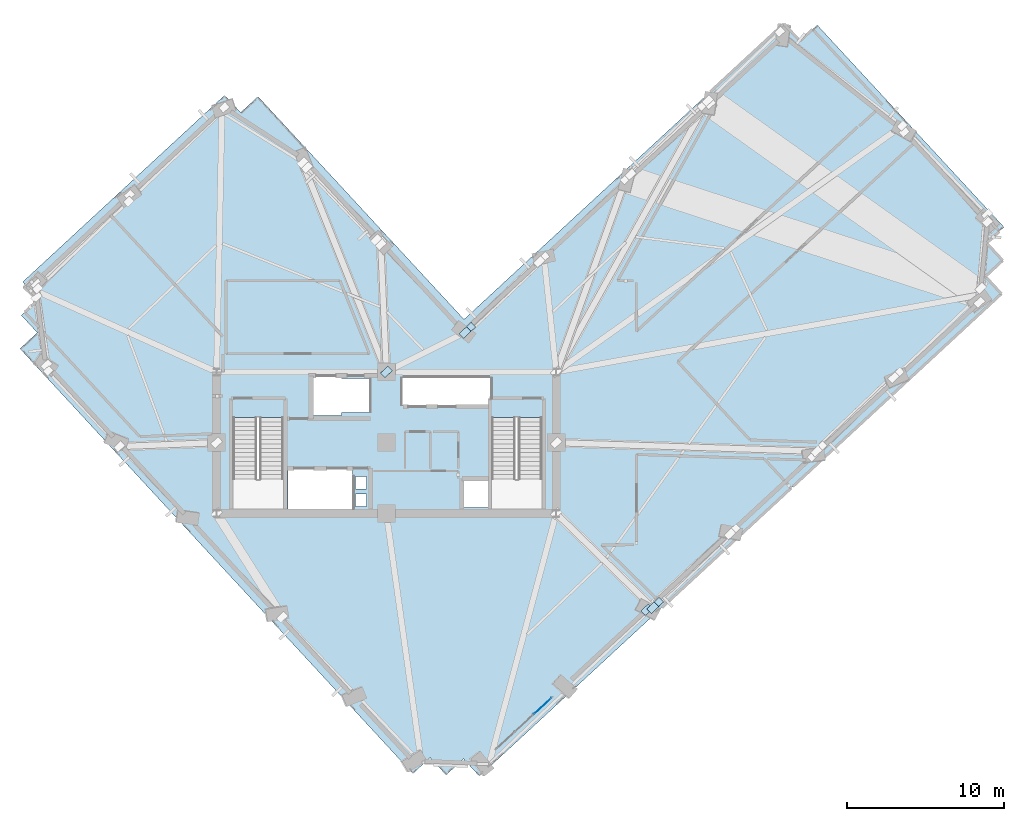
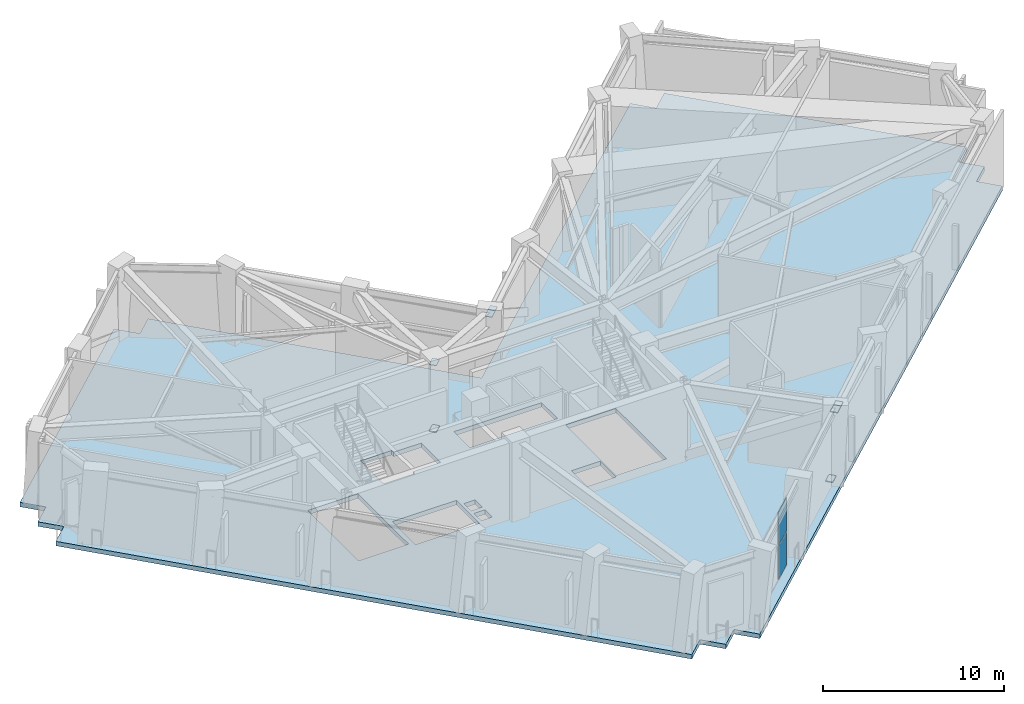
# One storey, part 6 of 15: 9 plates, 1 slab, 1 element without a shape of its own.
"""IFC4 building model written with IfcOpenShell, lengths in metres."""

from ifc_helpers import new_model, si_unit, direction, frame, origin, origin_2d, place, context, subcontext, project, spatial, polyline, rectangle, outline, extrude, material, layer, layer_set, type_object, element, aggregate, save


model = new_model("IFC4")

# Units and contexts
model_context = context("Model", 3, precision=1e-05, world=origin(), true_north=direction((0.0, 1.0)))
body_context = subcontext(model_context, "Body", "Model", "MODEL_VIEW")
ifc_project = project(units=[si_unit("LENGTHUNIT", "METRE"), si_unit("AREAUNIT", "SQUARE_METRE"), si_unit("VOLUMEUNIT", "CUBIC_METRE"), si_unit("PLANEANGLEUNIT", "RADIAN"), si_unit("MASSUNIT", "GRAM", prefix="KILO")], contexts=[model_context])

# Site, building, storey
site_placement = place(None, origin())
site = spatial("IfcSite", under=ifc_project, at=site_placement, CompositionType="ELEMENT")
building_placement = place(site_placement, origin())
building = spatial("IfcBuilding", under=site, at=building_placement, Name="Gaonmaruhae Medical Tower", CompositionType="ELEMENT")
storey_placement = place(building_placement, frame((0.0, 0.0, 205.800048828125)))
storey = spatial("IfcBuildingStorey", under=building, at=storey_placement, Name="L49", CompositionType="ELEMENT", Elevation=205.800048828125)

# Curtain wall, plates
ifc_material_1 = material(Name="Anodised aluminium and Low-E double glazing", Category="aluminium")
curtain_wall_type = type_object("IfcCurtainWallType", Name="CW-S2 Express Sky Lobby Feature Curtain Wall", PredefinedType="NOTDEFINED", material=ifc_material_1)
curtain_wall_placement = place(storey_placement, origin())
curtain_wall = element("IfcCurtainWall", 1, at=curtain_wall_placement, inside=storey, type_object=curtain_wall_type, Name="L49 Curtain Wall CW-L49-S01", PredefinedType="NOTDEFINED")
ifc_material_2 = material(Name="Low-E double solar glass", Category="glass")
ifc_layer_1 = layer(ifc_material_2, 0.028076171875)
ifc_layer_set_1 = layer_set([ifc_layer_1], Name="Low-E double solar glass")
plate_type_1 = type_object("IfcPlateType", Name="CWP-V1 Low-E Double Vision Glazing Panel", PredefinedType="CURTAIN_PANEL", material=ifc_layer_set_1)
plate_1_placement = place(storey_placement, frame((34.73681640625, -4.44921875, 0.06494140625), z_axis=(0.0, 0.0, 1.0), x_axis=(-0.734319744031, -0.678803737119, 0.0)))
plate_1 = element("IfcPlate", 2, at=plate_1_placement, type_object=plate_type_1, Name="CW-S2 panel 1.1", PredefinedType="CURTAIN_PANEL", context=body_context, shape_type="SweptSolid", body=[
    extrude(rectangle(XDim=1.505126953125, YDim=0.028076171875, at=origin_2d()), origin(), (0.0, 0.0, 1.0), 2.235107421875),
])
plate_2_placement = place(storey_placement, frame((34.73681640625, -4.44921875, 2.36474609375), z_axis=(0.0, 0.0, 1.0), x_axis=(-0.734319744031, -0.678803737119, 0.0)))
plate_2 = element("IfcPlate", 3, at=plate_2_placement, type_object=plate_type_1, Name="CW-S2 panel 1.2", PredefinedType="CURTAIN_PANEL", context=body_context, shape_type="SweptSolid", body=[
    extrude(rectangle(XDim=1.505126953125, YDim=0.028076171875, at=origin_2d()), origin(), (0.0, 0.0, 1.0), 2.235107421875),
])
aggregate(curtain_wall, [plate_1, plate_2])

# Slab
ifc_material_3 = material(Name="Concrete C40/50", Category="concrete")
ifc_layer_2 = layer(ifc_material_3, 0.300048828125)
ifc_layer_set_2 = layer_set([ifc_layer_2], Name="Concrete C40/50")
slab_type = type_object("IfcSlabType", Name="FS-300 Refuge & Plant Heavy Floor Slab", PredefinedType="FLOOR", material=ifc_layer_set_2)
slab_placement = place(storey_placement, frame((0.0, 0.0, -0.300048828125)))
element("IfcSlab", 4, at=slab_placement, inside=storey, type_object=slab_type, Name="L49 Structural Slab 1", PredefinedType="FLOOR", context=body_context, shape_type="SweptSolid", body=[
    extrude(outline(polyline([(30.718505859375, -8.91259765625), (63.909912109375, 21.769287109375), (62.891845703125, 22.87060546875), (63.993408203125, 23.888916015625), (62.97509765625, 24.990478515625), (64.076416015625, 26.008544921875), (52.197509765625, 38.859130859375), (51.095947265625, 37.841064453125), (50.077880859375, 38.9423828125), (29.737060546875, 20.1396484375), (16.63623046875, 34.312255859375), (15.534912109375, 33.2939453125), (14.5166015625, 34.3955078125), (1.666015625, 22.516357421875), (2.68408203125, 21.414794921875), (1.58251953125, 20.396728515625), (2.600830078125, 19.29541015625), (1.49951171875, 18.277099609375), (26.479248046875, -8.74609375), (27.580810546875, -7.727783203125), (28.598876953125, -8.829345703125), (29.700439453125, -7.81103515625), (30.718505859375, -8.91259765625)]), holes=[polyline([(23.550048828125, 8.25), (22.85009765625, 8.25), (22.85009765625, 9.050048828125), (23.550048828125, 9.050048828125), (23.550048828125, 8.25)]), polyline([(31.425048828125, 9.925048828125), (31.425048828125, 8.175048828125), (29.574951171875, 8.175048828125), (29.574951171875, 9.925048828125), (31.425048828125, 9.925048828125)]), polyline([(22.64990234375, 10.625), (22.64990234375, 8.074951171875), (18.550048828125, 8.074951171875), (18.550048828125, 10.625), (22.64990234375, 10.625)]), polyline([(23.550048828125, 9.35009765625), (22.85009765625, 9.35009765625), (22.85009765625, 10.14990234375), (23.550048828125, 10.14990234375), (23.550048828125, 9.35009765625)]), polyline([(15.050048828125, 13.889892578125), (18.25, 13.889892578125), (18.25, 8.300048828125), (15.050048828125, 8.300048828125), (15.050048828125, 13.889892578125)]), polyline([(31.5, 13.889892578125), (34.699951171875, 13.889892578125), (34.699951171875, 8.300048828125), (31.5, 8.300048828125), (31.5, 13.889892578125)]), polyline([(21.949951171875, 14.22509765625), (21.949951171875, 14.02490234375), (19.949951171875, 14.02490234375), (19.949951171875, 16.574951171875), (21.949951171875, 16.574951171875), (21.949951171875, 16.375), (23.72509765625, 16.375), (23.72509765625, 14.22509765625), (21.949951171875, 14.22509765625)]), polyline([(31.425048828125, 16.425048828125), (31.425048828125, 14.675048828125), (25.824951171875, 14.675048828125), (25.824951171875, 16.425048828125), (31.425048828125, 16.425048828125)])]), origin(), (0.0, 0.0, 1.0), 0.300048828125),
])

# Plates
ifc_material_4 = material(Name="Steel HSA650 (650 MPa)", Category="steel")
ifc_layer_3 = layer(ifc_material_4, 0.035888671875)
ifc_layer_set_3 = layer_set([ifc_layer_3], Name="Steel HSA650 (650 MPa)")
plate_type_2 = type_object("IfcPlateType", Name="GP-01 Outrigger Gusset & End Cap Plate", PredefinedType="USERDEFINED", material=ifc_layer_set_3)
for number, where, z_axis, x_axis, name in (
    (5, (41.742431640625, 1.80517578125, 4.81201171875), (0.0, 0.0, 1.0), (0.72296714591, 0.690882411077, 0.0), "L49 Gusset Cap Plate PLT-L49-OTD01B"),
    (6, (24.800048828125, 16.800048828125, 0.33203125), (0.0, 0.0, 1.0), (0.734322509436, 0.678800745533, 0.0), "L49 Gusset Cap Plate PLT-L49-OTD05A"),
    (7, (24.800048828125, 16.800048828125, 4.81201171875), (0.0, 0.0, 1.0), (0.72296714591, 0.690882411077, 0.0), "L49 Gusset Cap Plate PLT-L49-OTC06A"),
    (8, (41.360107421875, 1.67333984375, 0.33203125), (0.0, 0.0, 1.0), (0.734322509436, 0.678800745533, 0.0), "L49 Gusset Cap Plate PLT-L49-BTD01A"),
    (9, (42.046142578125, 2.09521484375, 4.81201171875), (0.0, 0.0, 1.0), (0.72296714591, 0.690882411077, 0.0), "L49 Gusset Cap Plate PLT-L49-BTC01A"),
    (10, (29.79736328125, 19.298828125, 4.81201171875), (0.0, 0.0, 1.0), (0.72296714591, 0.690882411077, 0.0), "L49 Gusset Cap Plate PLT-L49-BTD05B"),
    (11, (30.100830078125, 19.5888671875, 4.81201171875), (0.0, 0.0, 1.0), (0.72296714591, 0.690882411077, 0.0), "L49 Gusset Cap Plate PLT-L49-BTC05B"),
):
    element("IfcPlate", number, at=place(storey_placement, frame(where, z_axis=z_axis, x_axis=x_axis)), inside=storey, type_object=plate_type_2, Name=name, ObjectType="GUSSET_PLATE", PredefinedType="USERDEFINED", context=body_context, shape_type="SweptSolid", body=[
        extrude(rectangle(XDim=0.64990234375, YDim=0.419921875, at=origin_2d()), origin(), (0.0, 0.0, 1.0), 0.035888671875),
    ])

save(model, "model.ifc")
